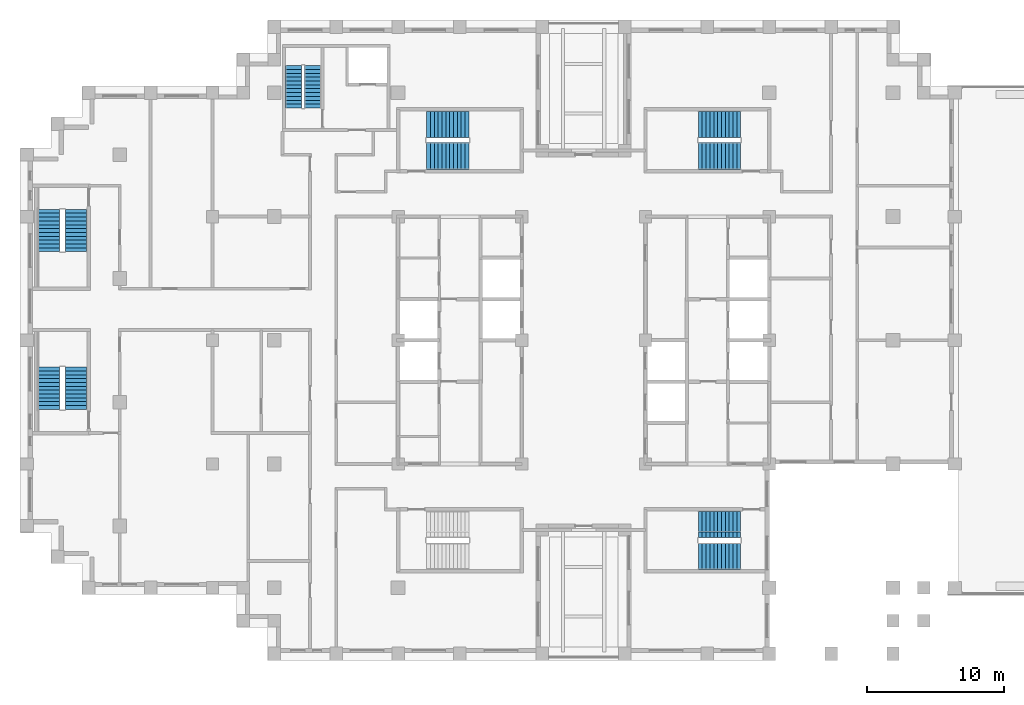
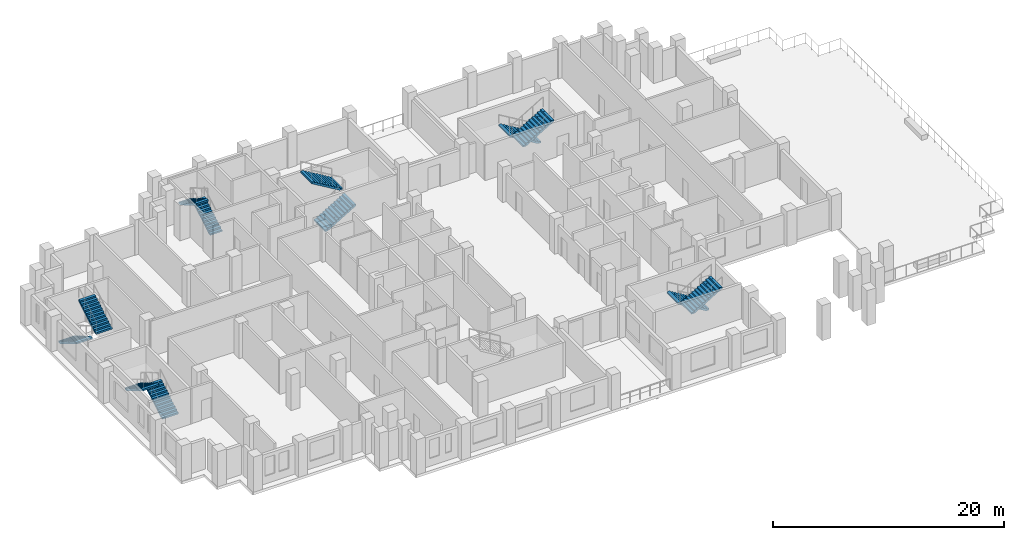
# One storey, part 10 of 12: 12 stair flights, 6 elements without a shape of their own.
"""IFC4 building model written with IfcOpenShell, lengths in metres."""

from ifc_helpers import new_model, si_unit, direction, frame, origin, place, context, subcontext, project, spatial, polyline, outline, extrude, material, type_object, element, aggregate, save


model = new_model("IFC4")

# Units and contexts
model_context = context("Model", 3, precision=1e-05, world=origin(), true_north=direction((0.0, 1.0)))
body_context = subcontext(model_context, "Body", "Model", "MODEL_VIEW")
ifc_project = project(units=[si_unit("LENGTHUNIT", "METRE"), si_unit("AREAUNIT", "SQUARE_METRE"), si_unit("VOLUMEUNIT", "CUBIC_METRE"), si_unit("PLANEANGLEUNIT", "RADIAN"), si_unit("MASSUNIT", "GRAM", prefix="KILO")], contexts=[model_context])

# Site, building, storey
site_placement = place(None, origin())
site = spatial("IfcSite", under=ifc_project, at=site_placement, CompositionType="ELEMENT")
building_placement = place(site_placement, origin())
building = spatial("IfcBuilding", under=site, at=building_placement, Name="Corbelhall Arena Tower", CompositionType="ELEMENT")
storey_placement = place(building_placement, frame((0.0, 0.0, 184.0)))
storey = spatial("IfcBuildingStorey", under=building, at=storey_placement, Name="L37", CompositionType="ELEMENT", Elevation=184.0)

# Stair, stair flights
ifc_material = material(Name="Concrete C40/50", Category="concrete")
stair_type = type_object("IfcStairType", Name="IN-ST-TOWER", PredefinedType="HALF_TURN_STAIR", material=ifc_material)
stair_1_placement = place(storey_placement, origin())
stair_1 = element("IfcStair", 1, at=stair_1_placement, inside=storey, type_object=stair_type, Name="L37 Exit stair ST1", PredefinedType="HALF_TURN_STAIR")
stair_flight_type = type_object("IfcStairFlightType", Name="IN-SFL-RC", PredefinedType="STRAIGHT", material=ifc_material)
stair_flight_1_placement = place(storey_placement, frame((-11.425048828125, 13.39990234375, 0.0), z_axis=(0.0, 0.0, 1.0), x_axis=(1.0, 0.0, 0.0)))
stair_flight_1 = element("IfcStairFlight", 2, at=stair_flight_1_placement, type_object=stair_flight_type, Name="ST1 flight 1", NumberOfRisers=12, NumberOfTreads=11, PredefinedType="STRAIGHT", RiserHeight=0.166666667, TreadLength=0.28, context=body_context, shape_type="SweptSolid", body=[
    extrude(outline(polyline([(0.0, 0.0), (0.0, 0.166748046875), (0.280029296875, 0.166748046875), (0.280029296875, 0.333251953125), (0.56005859375, 0.333251953125), (0.56005859375, 0.5), (0.840087890625, 0.5), (0.840087890625, 0.666748046875), (1.1201171875, 0.666748046875), (1.1201171875, 0.833251953125), (1.39990234375, 0.833251953125), (1.39990234375, 1.0), (1.679931640625, 1.0), (1.679931640625, 1.166748046875), (1.9599609375, 1.166748046875), (1.9599609375, 1.333251953125), (2.239990234375, 1.333251953125), (2.239990234375, 1.5), (2.52001953125, 1.5), (2.52001953125, 1.666748046875), (2.800048828125, 1.666748046875), (2.800048828125, 1.833251953125), (3.080078125, 1.833251953125), (3.080078125, 2.0), (3.080078125, 1.658935546875), (0.29296875, 0.0), (0.0, 0.0)])), frame((0.0, 0.97509765625, 0.0), z_axis=(0.0, -1.0, 0.0), x_axis=(1.0, 0.0, 0.0)), (0.0, 0.0, 1.0), 0.449951171875),
    extrude(outline(polyline([(0.0, 0.0), (0.0, 0.166748046875), (0.280029296875, 0.166748046875), (0.280029296875, 0.333251953125), (0.56005859375, 0.333251953125), (0.56005859375, 0.5), (0.840087890625, 0.5), (0.840087890625, 0.666748046875), (1.1201171875, 0.666748046875), (1.1201171875, 0.833251953125), (1.39990234375, 0.833251953125), (1.39990234375, 1.0), (1.679931640625, 1.0), (1.679931640625, 1.166748046875), (1.9599609375, 1.166748046875), (1.9599609375, 1.333251953125), (2.239990234375, 1.333251953125), (2.239990234375, 1.5), (2.52001953125, 1.5), (2.52001953125, 1.666748046875), (2.800048828125, 1.666748046875), (2.800048828125, 1.833251953125), (3.080078125, 1.833251953125), (3.080078125, 2.0), (3.080078125, 1.658935546875), (0.29296875, 0.0), (0.0, 0.0)])), frame((0.0, 0.52099609375, 0.0), z_axis=(0.0, -1.0, 0.0), x_axis=(1.0, 0.0, 0.0)), (0.0, 0.0, 1.0), 1.0419921875),
    extrude(outline(polyline([(0.0, 0.0), (0.0, 0.166748046875), (0.280029296875, 0.166748046875), (0.280029296875, 0.333251953125), (0.56005859375, 0.333251953125), (0.56005859375, 0.5), (0.840087890625, 0.5), (0.840087890625, 0.666748046875), (1.1201171875, 0.666748046875), (1.1201171875, 0.833251953125), (1.39990234375, 0.833251953125), (1.39990234375, 1.0), (1.679931640625, 1.0), (1.679931640625, 1.166748046875), (1.9599609375, 1.166748046875), (1.9599609375, 1.333251953125), (2.239990234375, 1.333251953125), (2.239990234375, 1.5), (2.52001953125, 1.5), (2.52001953125, 1.666748046875), (2.800048828125, 1.666748046875), (2.800048828125, 1.833251953125), (3.080078125, 1.833251953125), (3.080078125, 2.0), (3.080078125, 1.658935546875), (0.29296875, 0.0), (0.0, 0.0)])), frame((0.0, -0.52490234375, 0.0), z_axis=(0.0, -1.0, 0.0), x_axis=(1.0, 0.0, 0.0)), (0.0, 0.0, 1.0), 0.449951171875),
])
stair_flight_2_placement = place(storey_placement, frame((-8.344970703125, 15.699951171875, 2.0), z_axis=(0.0, 0.0, 1.0), x_axis=(-1.0, 0.0, 0.0)))
stair_flight_2 = element("IfcStairFlight", 3, at=stair_flight_2_placement, type_object=stair_flight_type, Name="ST1 flight 2", NumberOfRisers=12, NumberOfTreads=11, PredefinedType="STRAIGHT", RiserHeight=0.166666667, TreadLength=0.28, context=body_context, shape_type="SweptSolid", body=[
    extrude(outline(polyline([(0.0, 0.0), (0.0, 0.166748046875), (0.280029296875, 0.166748046875), (0.280029296875, 0.333251953125), (0.56005859375, 0.333251953125), (0.56005859375, 0.5), (0.840087890625, 0.5), (0.840087890625, 0.666748046875), (1.1201171875, 0.666748046875), (1.1201171875, 0.833251953125), (1.39990234375, 0.833251953125), (1.39990234375, 1.0), (1.679931640625, 1.0), (1.679931640625, 1.166748046875), (1.9599609375, 1.166748046875), (1.9599609375, 1.333251953125), (2.239990234375, 1.333251953125), (2.239990234375, 1.5), (2.52001953125, 1.5), (2.52001953125, 1.666748046875), (2.800048828125, 1.666748046875), (2.800048828125, 1.833251953125), (3.080078125, 1.833251953125), (3.080078125, 2.0), (3.080078125, 1.658935546875), (0.29296875, 0.0), (0.0, 0.0)])), frame((0.0, 0.97509765625, 0.0), z_axis=(0.0, -1.0, 0.0), x_axis=(1.0, 0.0, 0.0)), (0.0, 0.0, 1.0), 0.449951171875),
    extrude(outline(polyline([(0.0, 0.0), (0.0, 0.166748046875), (0.280029296875, 0.166748046875), (0.280029296875, 0.333251953125), (0.56005859375, 0.333251953125), (0.56005859375, 0.5), (0.840087890625, 0.5), (0.840087890625, 0.666748046875), (1.1201171875, 0.666748046875), (1.1201171875, 0.833251953125), (1.39990234375, 0.833251953125), (1.39990234375, 1.0), (1.679931640625, 1.0), (1.679931640625, 1.166748046875), (1.9599609375, 1.166748046875), (1.9599609375, 1.333251953125), (2.239990234375, 1.333251953125), (2.239990234375, 1.5), (2.52001953125, 1.5), (2.52001953125, 1.666748046875), (2.800048828125, 1.666748046875), (2.800048828125, 1.833251953125), (3.080078125, 1.833251953125), (3.080078125, 2.0), (3.080078125, 1.658935546875), (0.29296875, 0.0), (0.0, 0.0)])), frame((0.0, 0.52099609375, 0.0), z_axis=(0.0, -1.0, 0.0), x_axis=(1.0, 0.0, 0.0)), (0.0, 0.0, 1.0), 1.0419921875),
    extrude(outline(polyline([(0.0, 0.0), (0.0, 0.166748046875), (0.280029296875, 0.166748046875), (0.280029296875, 0.333251953125), (0.56005859375, 0.333251953125), (0.56005859375, 0.5), (0.840087890625, 0.5), (0.840087890625, 0.666748046875), (1.1201171875, 0.666748046875), (1.1201171875, 0.833251953125), (1.39990234375, 0.833251953125), (1.39990234375, 1.0), (1.679931640625, 1.0), (1.679931640625, 1.166748046875), (1.9599609375, 1.166748046875), (1.9599609375, 1.333251953125), (2.239990234375, 1.333251953125), (2.239990234375, 1.5), (2.52001953125, 1.5), (2.52001953125, 1.666748046875), (2.800048828125, 1.666748046875), (2.800048828125, 1.833251953125), (3.080078125, 1.833251953125), (3.080078125, 2.0), (3.080078125, 1.658935546875), (0.29296875, 0.0), (0.0, 0.0)])), frame((0.0, -0.52490234375, 0.0), z_axis=(0.0, -1.0, 0.0), x_axis=(1.0, 0.0, 0.0)), (0.0, 0.0, 1.0), 0.449951171875),
])
aggregate(stair_1, [stair_flight_1, stair_flight_2])

stair_2_placement = place(storey_placement, origin())
stair_2 = element("IfcStair", 4, at=stair_2_placement, inside=storey, type_object=stair_type, Name="L37 Exit stair ST3", PredefinedType="HALF_TURN_STAIR")
stair_flight_3_placement = place(storey_placement, frame((11.425048828125, 15.699951171875, 0.0), z_axis=(0.0, 0.0, 1.0), x_axis=(-1.0, 0.0, 0.0)))
stair_flight_3 = element("IfcStairFlight", 5, at=stair_flight_3_placement, type_object=stair_flight_type, Name="ST3 flight 1", NumberOfRisers=12, NumberOfTreads=11, PredefinedType="STRAIGHT", RiserHeight=0.166666667, TreadLength=0.28, context=body_context, shape_type="SweptSolid", body=[
    extrude(outline(polyline([(0.0, 0.0), (0.0, 0.166748046875), (0.280029296875, 0.166748046875), (0.280029296875, 0.333251953125), (0.56005859375, 0.333251953125), (0.56005859375, 0.5), (0.840087890625, 0.5), (0.840087890625, 0.666748046875), (1.1201171875, 0.666748046875), (1.1201171875, 0.833251953125), (1.39990234375, 0.833251953125), (1.39990234375, 1.0), (1.679931640625, 1.0), (1.679931640625, 1.166748046875), (1.9599609375, 1.166748046875), (1.9599609375, 1.333251953125), (2.239990234375, 1.333251953125), (2.239990234375, 1.5), (2.52001953125, 1.5), (2.52001953125, 1.666748046875), (2.800048828125, 1.666748046875), (2.800048828125, 1.833251953125), (3.080078125, 1.833251953125), (3.080078125, 2.0), (3.080078125, 1.658935546875), (0.29296875, 0.0), (0.0, 0.0)])), frame((0.0, 0.97509765625, 0.0), z_axis=(0.0, -1.0, 0.0), x_axis=(1.0, 0.0, 0.0)), (0.0, 0.0, 1.0), 0.449951171875),
    extrude(outline(polyline([(0.0, 0.0), (0.0, 0.166748046875), (0.280029296875, 0.166748046875), (0.280029296875, 0.333251953125), (0.56005859375, 0.333251953125), (0.56005859375, 0.5), (0.840087890625, 0.5), (0.840087890625, 0.666748046875), (1.1201171875, 0.666748046875), (1.1201171875, 0.833251953125), (1.39990234375, 0.833251953125), (1.39990234375, 1.0), (1.679931640625, 1.0), (1.679931640625, 1.166748046875), (1.9599609375, 1.166748046875), (1.9599609375, 1.333251953125), (2.239990234375, 1.333251953125), (2.239990234375, 1.5), (2.52001953125, 1.5), (2.52001953125, 1.666748046875), (2.800048828125, 1.666748046875), (2.800048828125, 1.833251953125), (3.080078125, 1.833251953125), (3.080078125, 2.0), (3.080078125, 1.658935546875), (0.29296875, 0.0), (0.0, 0.0)])), frame((0.0, 0.52099609375, 0.0), z_axis=(0.0, -1.0, 0.0), x_axis=(1.0, 0.0, 0.0)), (0.0, 0.0, 1.0), 1.0419921875),
    extrude(outline(polyline([(0.0, 0.0), (0.0, 0.166748046875), (0.280029296875, 0.166748046875), (0.280029296875, 0.333251953125), (0.56005859375, 0.333251953125), (0.56005859375, 0.5), (0.840087890625, 0.5), (0.840087890625, 0.666748046875), (1.1201171875, 0.666748046875), (1.1201171875, 0.833251953125), (1.39990234375, 0.833251953125), (1.39990234375, 1.0), (1.679931640625, 1.0), (1.679931640625, 1.166748046875), (1.9599609375, 1.166748046875), (1.9599609375, 1.333251953125), (2.239990234375, 1.333251953125), (2.239990234375, 1.5), (2.52001953125, 1.5), (2.52001953125, 1.666748046875), (2.800048828125, 1.666748046875), (2.800048828125, 1.833251953125), (3.080078125, 1.833251953125), (3.080078125, 2.0), (3.080078125, 1.658935546875), (0.29296875, 0.0), (0.0, 0.0)])), frame((0.0, -0.52490234375, 0.0), z_axis=(0.0, -1.0, 0.0), x_axis=(1.0, 0.0, 0.0)), (0.0, 0.0, 1.0), 0.449951171875),
])
stair_flight_4_placement = place(storey_placement, frame((8.344970703125, 13.39990234375, 2.0), z_axis=(0.0, 0.0, 1.0), x_axis=(1.0, 0.0, 0.0)))
stair_flight_4 = element("IfcStairFlight", 6, at=stair_flight_4_placement, type_object=stair_flight_type, Name="ST3 flight 2", NumberOfRisers=12, NumberOfTreads=11, PredefinedType="STRAIGHT", RiserHeight=0.166666667, TreadLength=0.28, context=body_context, shape_type="SweptSolid", body=[
    extrude(outline(polyline([(0.0, 0.0), (0.0, 0.166748046875), (0.280029296875, 0.166748046875), (0.280029296875, 0.333251953125), (0.56005859375, 0.333251953125), (0.56005859375, 0.5), (0.840087890625, 0.5), (0.840087890625, 0.666748046875), (1.1201171875, 0.666748046875), (1.1201171875, 0.833251953125), (1.39990234375, 0.833251953125), (1.39990234375, 1.0), (1.679931640625, 1.0), (1.679931640625, 1.166748046875), (1.9599609375, 1.166748046875), (1.9599609375, 1.333251953125), (2.239990234375, 1.333251953125), (2.239990234375, 1.5), (2.52001953125, 1.5), (2.52001953125, 1.666748046875), (2.800048828125, 1.666748046875), (2.800048828125, 1.833251953125), (3.080078125, 1.833251953125), (3.080078125, 2.0), (3.080078125, 1.658935546875), (0.29296875, 0.0), (0.0, 0.0)])), frame((0.0, 0.97509765625, 0.0), z_axis=(0.0, -1.0, 0.0), x_axis=(1.0, 0.0, 0.0)), (0.0, 0.0, 1.0), 0.449951171875),
    extrude(outline(polyline([(0.0, 0.0), (0.0, 0.166748046875), (0.280029296875, 0.166748046875), (0.280029296875, 0.333251953125), (0.56005859375, 0.333251953125), (0.56005859375, 0.5), (0.840087890625, 0.5), (0.840087890625, 0.666748046875), (1.1201171875, 0.666748046875), (1.1201171875, 0.833251953125), (1.39990234375, 0.833251953125), (1.39990234375, 1.0), (1.679931640625, 1.0), (1.679931640625, 1.166748046875), (1.9599609375, 1.166748046875), (1.9599609375, 1.333251953125), (2.239990234375, 1.333251953125), (2.239990234375, 1.5), (2.52001953125, 1.5), (2.52001953125, 1.666748046875), (2.800048828125, 1.666748046875), (2.800048828125, 1.833251953125), (3.080078125, 1.833251953125), (3.080078125, 2.0), (3.080078125, 1.658935546875), (0.29296875, 0.0), (0.0, 0.0)])), frame((0.0, 0.52099609375, 0.0), z_axis=(0.0, -1.0, 0.0), x_axis=(1.0, 0.0, 0.0)), (0.0, 0.0, 1.0), 1.0419921875),
    extrude(outline(polyline([(0.0, 0.0), (0.0, 0.166748046875), (0.280029296875, 0.166748046875), (0.280029296875, 0.333251953125), (0.56005859375, 0.333251953125), (0.56005859375, 0.5), (0.840087890625, 0.5), (0.840087890625, 0.666748046875), (1.1201171875, 0.666748046875), (1.1201171875, 0.833251953125), (1.39990234375, 0.833251953125), (1.39990234375, 1.0), (1.679931640625, 1.0), (1.679931640625, 1.166748046875), (1.9599609375, 1.166748046875), (1.9599609375, 1.333251953125), (2.239990234375, 1.333251953125), (2.239990234375, 1.5), (2.52001953125, 1.5), (2.52001953125, 1.666748046875), (2.800048828125, 1.666748046875), (2.800048828125, 1.833251953125), (3.080078125, 1.833251953125), (3.080078125, 2.0), (3.080078125, 1.658935546875), (0.29296875, 0.0), (0.0, 0.0)])), frame((0.0, -0.52490234375, 0.0), z_axis=(0.0, -1.0, 0.0), x_axis=(1.0, 0.0, 0.0)), (0.0, 0.0, 1.0), 0.449951171875),
])
aggregate(stair_2, [stair_flight_3, stair_flight_4])

stair_3_placement = place(storey_placement, origin())
stair_3 = element("IfcStair", 7, at=stair_3_placement, inside=storey, type_object=stair_type, Name="L37 Exit stair ST4", PredefinedType="HALF_TURN_STAIR")
stair_flight_5_placement = place(storey_placement, frame((11.425048828125, -13.39990234375, 0.0), z_axis=(0.0, 0.0, 1.0), x_axis=(-1.0, 0.0, 0.0)))
stair_flight_5 = element("IfcStairFlight", 8, at=stair_flight_5_placement, type_object=stair_flight_type, Name="ST4 flight 1", NumberOfRisers=12, NumberOfTreads=11, PredefinedType="STRAIGHT", RiserHeight=0.166666667, TreadLength=0.28, context=body_context, shape_type="SweptSolid", body=[
    extrude(outline(polyline([(0.0, 0.0), (0.0, 0.166748046875), (0.280029296875, 0.166748046875), (0.280029296875, 0.333251953125), (0.56005859375, 0.333251953125), (0.56005859375, 0.5), (0.840087890625, 0.5), (0.840087890625, 0.666748046875), (1.1201171875, 0.666748046875), (1.1201171875, 0.833251953125), (1.39990234375, 0.833251953125), (1.39990234375, 1.0), (1.679931640625, 1.0), (1.679931640625, 1.166748046875), (1.9599609375, 1.166748046875), (1.9599609375, 1.333251953125), (2.239990234375, 1.333251953125), (2.239990234375, 1.5), (2.52001953125, 1.5), (2.52001953125, 1.666748046875), (2.800048828125, 1.666748046875), (2.800048828125, 1.833251953125), (3.080078125, 1.833251953125), (3.080078125, 2.0), (3.080078125, 1.658935546875), (0.29296875, 0.0), (0.0, 0.0)])), frame((0.0, 0.97509765625, 0.0), z_axis=(0.0, -1.0, 0.0), x_axis=(1.0, 0.0, 0.0)), (0.0, 0.0, 1.0), 0.449951171875),
    extrude(outline(polyline([(0.0, 0.0), (0.0, 0.166748046875), (0.280029296875, 0.166748046875), (0.280029296875, 0.333251953125), (0.56005859375, 0.333251953125), (0.56005859375, 0.5), (0.840087890625, 0.5), (0.840087890625, 0.666748046875), (1.1201171875, 0.666748046875), (1.1201171875, 0.833251953125), (1.39990234375, 0.833251953125), (1.39990234375, 1.0), (1.679931640625, 1.0), (1.679931640625, 1.166748046875), (1.9599609375, 1.166748046875), (1.9599609375, 1.333251953125), (2.239990234375, 1.333251953125), (2.239990234375, 1.5), (2.52001953125, 1.5), (2.52001953125, 1.666748046875), (2.800048828125, 1.666748046875), (2.800048828125, 1.833251953125), (3.080078125, 1.833251953125), (3.080078125, 2.0), (3.080078125, 1.658935546875), (0.29296875, 0.0), (0.0, 0.0)])), frame((0.0, 0.52099609375, 0.0), z_axis=(0.0, -1.0, 0.0), x_axis=(1.0, 0.0, 0.0)), (0.0, 0.0, 1.0), 1.0419921875),
    extrude(outline(polyline([(0.0, 0.0), (0.0, 0.166748046875), (0.280029296875, 0.166748046875), (0.280029296875, 0.333251953125), (0.56005859375, 0.333251953125), (0.56005859375, 0.5), (0.840087890625, 0.5), (0.840087890625, 0.666748046875), (1.1201171875, 0.666748046875), (1.1201171875, 0.833251953125), (1.39990234375, 0.833251953125), (1.39990234375, 1.0), (1.679931640625, 1.0), (1.679931640625, 1.166748046875), (1.9599609375, 1.166748046875), (1.9599609375, 1.333251953125), (2.239990234375, 1.333251953125), (2.239990234375, 1.5), (2.52001953125, 1.5), (2.52001953125, 1.666748046875), (2.800048828125, 1.666748046875), (2.800048828125, 1.833251953125), (3.080078125, 1.833251953125), (3.080078125, 2.0), (3.080078125, 1.658935546875), (0.29296875, 0.0), (0.0, 0.0)])), frame((0.0, -0.52490234375, 0.0), z_axis=(0.0, -1.0, 0.0), x_axis=(1.0, 0.0, 0.0)), (0.0, 0.0, 1.0), 0.449951171875),
])
stair_flight_6_placement = place(storey_placement, frame((8.344970703125, -15.699951171875, 2.0), z_axis=(0.0, 0.0, 1.0), x_axis=(1.0, 0.0, 0.0)))
stair_flight_6 = element("IfcStairFlight", 9, at=stair_flight_6_placement, type_object=stair_flight_type, Name="ST4 flight 2", NumberOfRisers=12, NumberOfTreads=11, PredefinedType="STRAIGHT", RiserHeight=0.166666667, TreadLength=0.28, context=body_context, shape_type="SweptSolid", body=[
    extrude(outline(polyline([(0.0, 0.0), (0.0, 0.166748046875), (0.280029296875, 0.166748046875), (0.280029296875, 0.333251953125), (0.56005859375, 0.333251953125), (0.56005859375, 0.5), (0.840087890625, 0.5), (0.840087890625, 0.666748046875), (1.1201171875, 0.666748046875), (1.1201171875, 0.833251953125), (1.39990234375, 0.833251953125), (1.39990234375, 1.0), (1.679931640625, 1.0), (1.679931640625, 1.166748046875), (1.9599609375, 1.166748046875), (1.9599609375, 1.333251953125), (2.239990234375, 1.333251953125), (2.239990234375, 1.5), (2.52001953125, 1.5), (2.52001953125, 1.666748046875), (2.800048828125, 1.666748046875), (2.800048828125, 1.833251953125), (3.080078125, 1.833251953125), (3.080078125, 2.0), (3.080078125, 1.658935546875), (0.29296875, 0.0), (0.0, 0.0)])), frame((0.0, 0.97509765625, 0.0), z_axis=(0.0, -1.0, 0.0), x_axis=(1.0, 0.0, 0.0)), (0.0, 0.0, 1.0), 0.449951171875),
    extrude(outline(polyline([(0.0, 0.0), (0.0, 0.166748046875), (0.280029296875, 0.166748046875), (0.280029296875, 0.333251953125), (0.56005859375, 0.333251953125), (0.56005859375, 0.5), (0.840087890625, 0.5), (0.840087890625, 0.666748046875), (1.1201171875, 0.666748046875), (1.1201171875, 0.833251953125), (1.39990234375, 0.833251953125), (1.39990234375, 1.0), (1.679931640625, 1.0), (1.679931640625, 1.166748046875), (1.9599609375, 1.166748046875), (1.9599609375, 1.333251953125), (2.239990234375, 1.333251953125), (2.239990234375, 1.5), (2.52001953125, 1.5), (2.52001953125, 1.666748046875), (2.800048828125, 1.666748046875), (2.800048828125, 1.833251953125), (3.080078125, 1.833251953125), (3.080078125, 2.0), (3.080078125, 1.658935546875), (0.29296875, 0.0), (0.0, 0.0)])), frame((0.0, 0.52099609375, 0.0), z_axis=(0.0, -1.0, 0.0), x_axis=(1.0, 0.0, 0.0)), (0.0, 0.0, 1.0), 1.0419921875),
    extrude(outline(polyline([(0.0, 0.0), (0.0, 0.166748046875), (0.280029296875, 0.166748046875), (0.280029296875, 0.333251953125), (0.56005859375, 0.333251953125), (0.56005859375, 0.5), (0.840087890625, 0.5), (0.840087890625, 0.666748046875), (1.1201171875, 0.666748046875), (1.1201171875, 0.833251953125), (1.39990234375, 0.833251953125), (1.39990234375, 1.0), (1.679931640625, 1.0), (1.679931640625, 1.166748046875), (1.9599609375, 1.166748046875), (1.9599609375, 1.333251953125), (2.239990234375, 1.333251953125), (2.239990234375, 1.5), (2.52001953125, 1.5), (2.52001953125, 1.666748046875), (2.800048828125, 1.666748046875), (2.800048828125, 1.833251953125), (3.080078125, 1.833251953125), (3.080078125, 2.0), (3.080078125, 1.658935546875), (0.29296875, 0.0), (0.0, 0.0)])), frame((0.0, -0.52490234375, 0.0), z_axis=(0.0, -1.0, 0.0), x_axis=(1.0, 0.0, 0.0)), (0.0, 0.0, 1.0), 0.449951171875),
])
aggregate(stair_3, [stair_flight_5, stair_flight_6])

stair_4_placement = place(storey_placement, origin())
stair_4 = element("IfcStair", 10, at=stair_4_placement, inside=storey, type_object=stair_type, Name="L37 Exit stair SC1", PredefinedType="HALF_TURN_STAIR")
stair_flight_7_placement = place(storey_placement, frame((-38.89990234375, 9.52490234375, 0.0), z_axis=(0.0, 0.0, 1.0), x_axis=(0.0, -1.0, 0.0)))
stair_flight_7 = element("IfcStairFlight", 11, at=stair_flight_7_placement, type_object=stair_flight_type, Name="SC1 flight 1", NumberOfRisers=12, NumberOfTreads=11, PredefinedType="STRAIGHT", RiserHeight=0.166666667, TreadLength=0.28, context=body_context, shape_type="SweptSolid", body=[
    extrude(outline(polyline([(0.0, 0.0), (0.0, 0.166748046875), (0.280029296875, 0.166748046875), (0.280029296875, 0.333251953125), (0.56005859375, 0.333251953125), (0.56005859375, 0.5), (0.840087890625, 0.5), (0.840087890625, 0.666748046875), (1.1201171875, 0.666748046875), (1.1201171875, 0.833251953125), (1.39990234375, 0.833251953125), (1.39990234375, 1.0), (1.679931640625, 1.0), (1.679931640625, 1.166748046875), (1.9599609375, 1.166748046875), (1.9599609375, 1.333251953125), (2.239990234375, 1.333251953125), (2.239990234375, 1.5), (2.52001953125, 1.5), (2.52001953125, 1.666748046875), (2.800048828125, 1.666748046875), (2.800048828125, 1.833251953125), (3.080078125, 1.833251953125), (3.080078125, 2.0), (3.080078125, 1.658935546875), (0.29296875, 0.0), (0.0, 0.0)])), frame((0.0, 0.800048828125, 0.0), z_axis=(0.0, -1.0, 0.0), x_axis=(1.0, 0.0, 0.0)), (0.0, 0.0, 1.0), 1.60009765625),
])
stair_flight_8_placement = place(storey_placement, frame((-36.925048828125, 6.445068359375, 2.0), z_axis=(0.0, 0.0, 1.0), x_axis=(0.0, 1.0, 0.0)))
stair_flight_8 = element("IfcStairFlight", 12, at=stair_flight_8_placement, type_object=stair_flight_type, Name="SC1 flight 2", NumberOfRisers=12, NumberOfTreads=11, PredefinedType="STRAIGHT", RiserHeight=0.166666667, TreadLength=0.28, context=body_context, shape_type="SweptSolid", body=[
    extrude(outline(polyline([(0.0, 0.0), (0.0, 0.166748046875), (0.280029296875, 0.166748046875), (0.280029296875, 0.333251953125), (0.56005859375, 0.333251953125), (0.56005859375, 0.5), (0.840087890625, 0.5), (0.840087890625, 0.666748046875), (1.1201171875, 0.666748046875), (1.1201171875, 0.833251953125), (1.39990234375, 0.833251953125), (1.39990234375, 1.0), (1.679931640625, 1.0), (1.679931640625, 1.166748046875), (1.9599609375, 1.166748046875), (1.9599609375, 1.333251953125), (2.239990234375, 1.333251953125), (2.239990234375, 1.5), (2.52001953125, 1.5), (2.52001953125, 1.666748046875), (2.800048828125, 1.666748046875), (2.800048828125, 1.833251953125), (3.080078125, 1.833251953125), (3.080078125, 2.0), (3.080078125, 1.658935546875), (0.29296875, 0.0), (0.0, 0.0)])), frame((0.0, 0.800048828125, 0.0), z_axis=(0.0, -1.0, 0.0), x_axis=(1.0, 0.0, 0.0)), (0.0, 0.0, 1.0), 1.60009765625),
])
aggregate(stair_4, [stair_flight_7, stair_flight_8])

stair_5_placement = place(storey_placement, origin())
stair_5 = element("IfcStair", 13, at=stair_5_placement, inside=storey, type_object=stair_type, Name="L37 Exit stair SC2", PredefinedType="HALF_TURN_STAIR")
stair_flight_9_placement = place(storey_placement, frame((-36.925048828125, -5.02490234375, 0.0), z_axis=(0.0, 0.0, 1.0), x_axis=(0.0, 1.0, 0.0)))
stair_flight_9 = element("IfcStairFlight", 14, at=stair_flight_9_placement, type_object=stair_flight_type, Name="SC2 flight 1", NumberOfRisers=12, NumberOfTreads=11, PredefinedType="STRAIGHT", RiserHeight=0.166666667, TreadLength=0.28, context=body_context, shape_type="SweptSolid", body=[
    extrude(outline(polyline([(0.0, 0.0), (0.0, 0.166748046875), (0.280029296875, 0.166748046875), (0.280029296875, 0.333251953125), (0.56005859375, 0.333251953125), (0.56005859375, 0.5), (0.840087890625, 0.5), (0.840087890625, 0.666748046875), (1.1201171875, 0.666748046875), (1.1201171875, 0.833251953125), (1.39990234375, 0.833251953125), (1.39990234375, 1.0), (1.679931640625, 1.0), (1.679931640625, 1.166748046875), (1.9599609375, 1.166748046875), (1.9599609375, 1.333251953125), (2.239990234375, 1.333251953125), (2.239990234375, 1.5), (2.52001953125, 1.5), (2.52001953125, 1.666748046875), (2.800048828125, 1.666748046875), (2.800048828125, 1.833251953125), (3.080078125, 1.833251953125), (3.080078125, 2.0), (3.080078125, 1.658935546875), (0.29296875, 0.0), (0.0, 0.0)])), frame((0.0, 0.800048828125, 0.0), z_axis=(0.0, -1.0, 0.0), x_axis=(1.0, 0.0, 0.0)), (0.0, 0.0, 1.0), 1.60009765625),
])
stair_flight_10_placement = place(storey_placement, frame((-38.89990234375, -1.945068359375, 2.0), z_axis=(0.0, 0.0, 1.0), x_axis=(0.0, -1.0, 0.0)))
stair_flight_10 = element("IfcStairFlight", 15, at=stair_flight_10_placement, type_object=stair_flight_type, Name="SC2 flight 2", NumberOfRisers=12, NumberOfTreads=11, PredefinedType="STRAIGHT", RiserHeight=0.166666667, TreadLength=0.28, context=body_context, shape_type="SweptSolid", body=[
    extrude(outline(polyline([(0.0, 0.0), (0.0, 0.166748046875), (0.280029296875, 0.166748046875), (0.280029296875, 0.333251953125), (0.56005859375, 0.333251953125), (0.56005859375, 0.5), (0.840087890625, 0.5), (0.840087890625, 0.666748046875), (1.1201171875, 0.666748046875), (1.1201171875, 0.833251953125), (1.39990234375, 0.833251953125), (1.39990234375, 1.0), (1.679931640625, 1.0), (1.679931640625, 1.166748046875), (1.9599609375, 1.166748046875), (1.9599609375, 1.333251953125), (2.239990234375, 1.333251953125), (2.239990234375, 1.5), (2.52001953125, 1.5), (2.52001953125, 1.666748046875), (2.800048828125, 1.666748046875), (2.800048828125, 1.833251953125), (3.080078125, 1.833251953125), (3.080078125, 2.0), (3.080078125, 1.658935546875), (0.29296875, 0.0), (0.0, 0.0)])), frame((0.0, 0.800048828125, 0.0), z_axis=(0.0, -1.0, 0.0), x_axis=(1.0, 0.0, 0.0)), (0.0, 0.0, 1.0), 1.60009765625),
])
aggregate(stair_5, [stair_flight_9, stair_flight_10])

stair_6_placement = place(storey_placement, origin())
stair_6 = element("IfcStair", 16, at=stair_6_placement, inside=storey, type_object=stair_type, Name="L37 Exit stair ST5", PredefinedType="HALF_TURN_STAIR")
stair_flight_11_placement = place(storey_placement, frame((-19.695068359375, 16.89990234375, 0.0), z_axis=(0.0, 0.0, 1.0), x_axis=(0.0, 1.0, 0.0)))
stair_flight_11 = element("IfcStairFlight", 17, at=stair_flight_11_placement, type_object=stair_flight_type, Name="ST5 flight 1", NumberOfRisers=12, NumberOfTreads=11, PredefinedType="STRAIGHT", RiserHeight=0.166666667, TreadLength=0.28, context=body_context, shape_type="SweptSolid", body=[
    extrude(outline(polyline([(0.0, 0.0), (0.0, 0.166748046875), (0.280029296875, 0.166748046875), (0.280029296875, 0.333251953125), (0.56005859375, 0.333251953125), (0.56005859375, 0.5), (0.840087890625, 0.5), (0.840087890625, 0.666748046875), (1.1201171875, 0.666748046875), (1.1201171875, 0.833251953125), (1.39990234375, 0.833251953125), (1.39990234375, 1.0), (1.679931640625, 1.0), (1.679931640625, 1.166748046875), (1.9599609375, 1.166748046875), (1.9599609375, 1.333251953125), (2.239990234375, 1.333251953125), (2.239990234375, 1.5), (2.52001953125, 1.5), (2.52001953125, 1.666748046875), (2.800048828125, 1.666748046875), (2.800048828125, 1.833251953125), (3.080078125, 1.833251953125), (3.080078125, 2.0), (3.080078125, 1.658935546875), (0.29296875, 0.0), (0.0, 0.0)])), frame((0.0, 0.60009765625, 0.0), z_axis=(0.0, -1.0, 0.0), x_axis=(1.0, 0.0, 0.0)), (0.0, 0.0, 1.0), 1.199951171875),
])
stair_flight_12_placement = place(storey_placement, frame((-21.094970703125, 19.97998046875, 2.0), z_axis=(0.0, 0.0, 1.0), x_axis=(0.0, -1.0, 0.0)))
stair_flight_12 = element("IfcStairFlight", 18, at=stair_flight_12_placement, type_object=stair_flight_type, Name="ST5 flight 2", NumberOfRisers=12, NumberOfTreads=11, PredefinedType="STRAIGHT", RiserHeight=0.166666667, TreadLength=0.28, context=body_context, shape_type="SweptSolid", body=[
    extrude(outline(polyline([(0.0, 0.0), (0.0, 0.166748046875), (0.280029296875, 0.166748046875), (0.280029296875, 0.333251953125), (0.56005859375, 0.333251953125), (0.56005859375, 0.5), (0.840087890625, 0.5), (0.840087890625, 0.666748046875), (1.1201171875, 0.666748046875), (1.1201171875, 0.833251953125), (1.39990234375, 0.833251953125), (1.39990234375, 1.0), (1.679931640625, 1.0), (1.679931640625, 1.166748046875), (1.9599609375, 1.166748046875), (1.9599609375, 1.333251953125), (2.239990234375, 1.333251953125), (2.239990234375, 1.5), (2.52001953125, 1.5), (2.52001953125, 1.666748046875), (2.800048828125, 1.666748046875), (2.800048828125, 1.833251953125), (3.080078125, 1.833251953125), (3.080078125, 2.0), (3.080078125, 1.658935546875), (0.29296875, 0.0), (0.0, 0.0)])), frame((0.0, 0.60009765625, 0.0), z_axis=(0.0, -1.0, 0.0), x_axis=(1.0, 0.0, 0.0)), (0.0, 0.0, 1.0), 1.199951171875),
])
aggregate(stair_6, [stair_flight_11, stair_flight_12])

save(model, "model.ifc")
